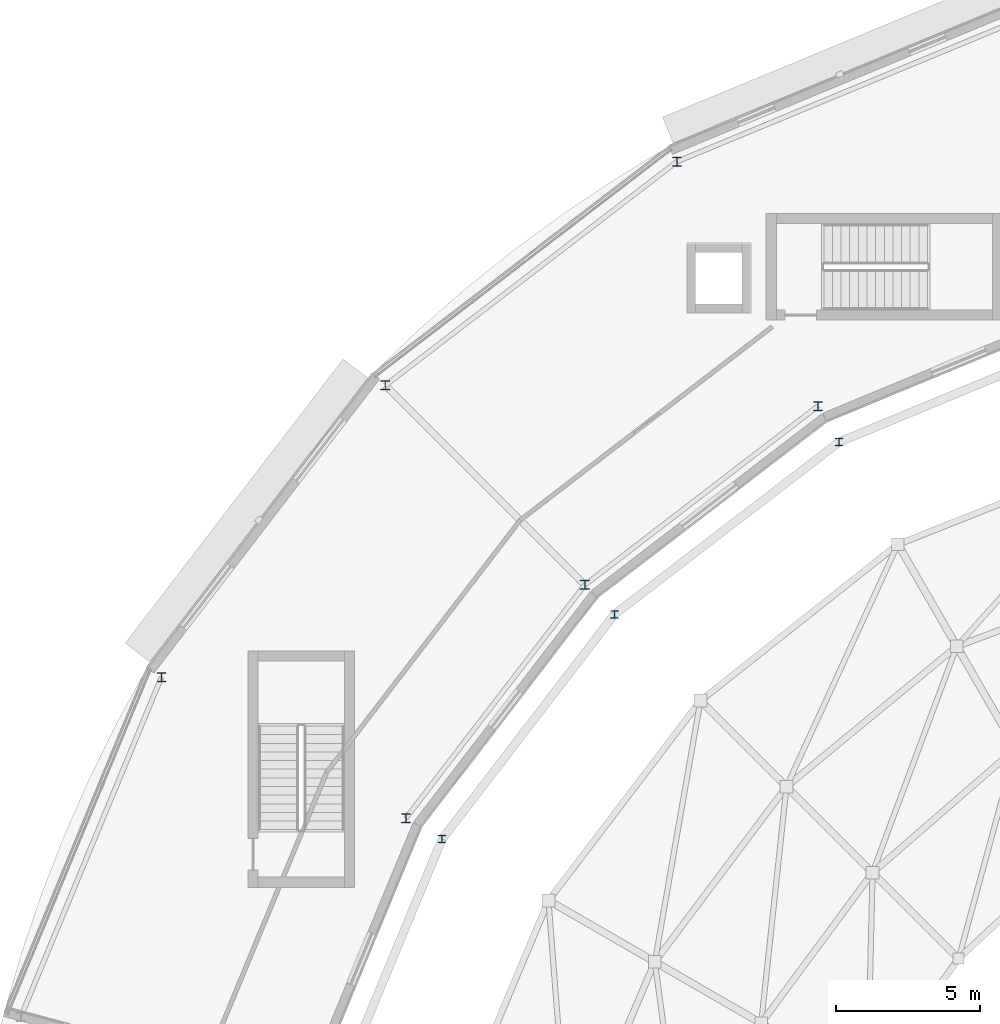
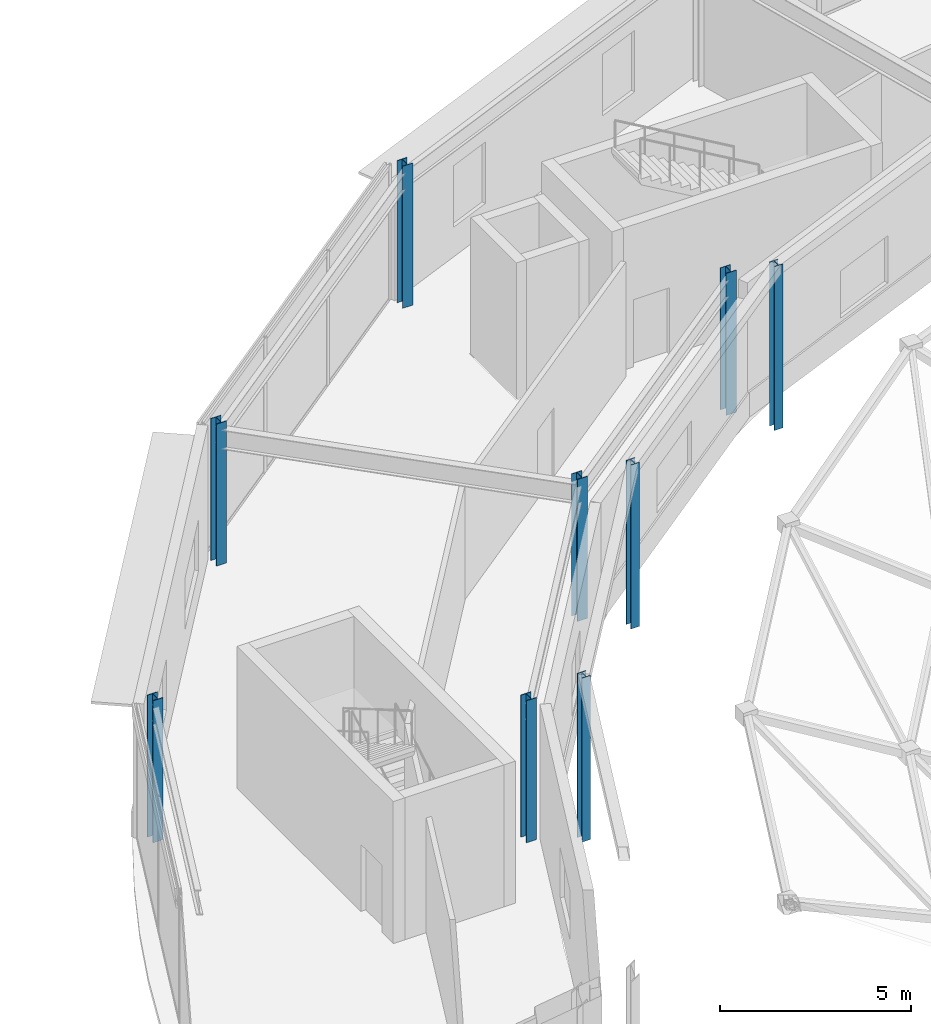
# One storey, part 6 of 89: 9 columns.
"""IFC4 building model written with IfcOpenShell, lengths in metres."""

from ifc_helpers import new_model, si_unit, direction, frame, origin, origin_2d, place, context, subcontext, project, spatial, i_section, extrude, material, material_profile, profile_set, type_object, element, save


model = new_model("IFC4")

# Units and contexts
model_context = context("Model", 3, precision=1e-05, world=origin(), true_north=direction((0.0, 1.0)))
body_context = subcontext(model_context, "Body", "Model", "MODEL_VIEW")
ifc_project = project(units=[si_unit("LENGTHUNIT", "METRE"), si_unit("AREAUNIT", "SQUARE_METRE"), si_unit("VOLUMEUNIT", "CUBIC_METRE"), si_unit("PLANEANGLEUNIT", "RADIAN"), si_unit("MASSUNIT", "GRAM", prefix="KILO")], contexts=[model_context])

# Site, building, storey
site_placement = place(None, origin())
site = spatial("IfcSite", under=ifc_project, at=site_placement, CompositionType="ELEMENT")
building_placement = place(site_placement, origin())
building = spatial("IfcBuilding", under=site, at=building_placement, Name="Almandine Court Research Institute", CompositionType="ELEMENT")
storey_placement = place(building_placement, frame((0.0, 0.0, 18.89990234375)))
storey = spatial("IfcBuildingStorey", under=building, at=storey_placement, Name="L04", CompositionType="ELEMENT", Elevation=18.89990234375)

# Columns
ifc_material = material(Name="Steel ASTM A992 Grade 50", Category="steel")
ifc_material_profile_1 = material_profile(ifc_material, i_section(OverallWidth=0.305908203125, OverallDepth=0.31103515625, WebThickness=0.010986328125, FlangeThickness=0.01708984375, at=origin_2d()), Name="W310x107")
ifc_profile_set_1 = profile_set([ifc_material_profile_1], Name="Steel ASTM A992 Grade 50")
column_type_1 = type_object("IfcColumnType", Name="Col-C-W08-E", PredefinedType="COLUMN", material=ifc_profile_set_1)
for number, where, z_axis, x_axis, name in (
    (1, (67.449951171875, 89.862060546875, 0.0), (0.0, 0.0, 1.0), (1.0, 0.0, 0.0), "L04 V5 Column V5-IN-S08"),
    (2, (62.550048828125, 98.34912109375, 0.0), (0.0, 0.0, 1.0), (1.0, 0.0, 0.0), "L04 V5 Column V5-OUT-S08"),
    (3, (59.35205078125, 83.64794921875, 0.0), (0.0, 0.0, 1.0), (1.0, 0.0, 0.0), "L04 V5 Column V5-IN-S09"),
    (4, (52.422119140625, 90.577880859375, 0.0), (0.0, 0.0, 1.0), (1.0, 0.0, 0.0), "L04 V5 Column V5-OUT-S09"),
    (5, (53.137939453125, 75.550048828125, 0.0), (0.0, 0.0, 1.0), (1.0, 0.0, 0.0), "L04 V5 Column V5-IN-S10"),
    (6, (44.65087890625, 80.449951171875, 0.0), (0.0, 0.0, 1.0), (1.0, 0.0, 0.0), "L04 V5 Column V5-OUT-S10"),
):
    element("IfcColumn", number, at=place(storey_placement, frame(where, z_axis=z_axis, x_axis=x_axis)), inside=storey, type_object=column_type_1, Name=name, PredefinedType="COLUMN", context=body_context, shape_type="SweptSolid", body=[
        extrude(i_section(OverallWidth=0.305908203125, OverallDepth=0.31103515625, WebThickness=0.010986328125, FlangeThickness=0.01708984375, at=origin_2d()), origin(), (0.0, 0.0, 1.0), 4.550048828125),
    ])
ifc_material_profile_2 = material_profile(ifc_material, i_section(OverallWidth=0.257080078125, OverallDepth=0.263916015625, WebThickness=0.011962890625, FlangeThickness=0.02001953125, at=origin_2d()), Name="W250x101")
ifc_profile_set_2 = profile_set([ifc_material_profile_2], Name="Steel ASTM A992 Grade 50")
column_type_2 = type_object("IfcColumnType", Name="Col-C-W09-E", PredefinedType="COLUMN", material=ifc_profile_set_2)
for number, where, z_axis, x_axis, name in (
    (7, (68.175048828125, 88.60595703125, 0.0), (0.0, 0.0, 1.0), (1.0, 0.0, 0.0), "L04 V2 Column V2-OUT-S08"),
    (8, (60.376953125, 82.623046875, 0.0), (0.0, 0.0, 1.0), (1.0, 0.0, 0.0), "L04 V2 Column V2-OUT-S09"),
    (9, (54.39404296875, 74.824951171875, 0.0), (0.0, 0.0, 1.0), (1.0, 0.0, 0.0), "L04 V2 Column V2-OUT-S10"),
):
    element("IfcColumn", number, at=place(storey_placement, frame(where, z_axis=z_axis, x_axis=x_axis)), inside=storey, type_object=column_type_2, Name=name, PredefinedType="COLUMN", context=body_context, shape_type="SweptSolid", body=[
        extrude(i_section(OverallWidth=0.257080078125, OverallDepth=0.263916015625, WebThickness=0.011962890625, FlangeThickness=0.02001953125, at=origin_2d()), origin(), (0.0, 0.0, 1.0), 5.25),
    ])

save(model, "model.ifc")
